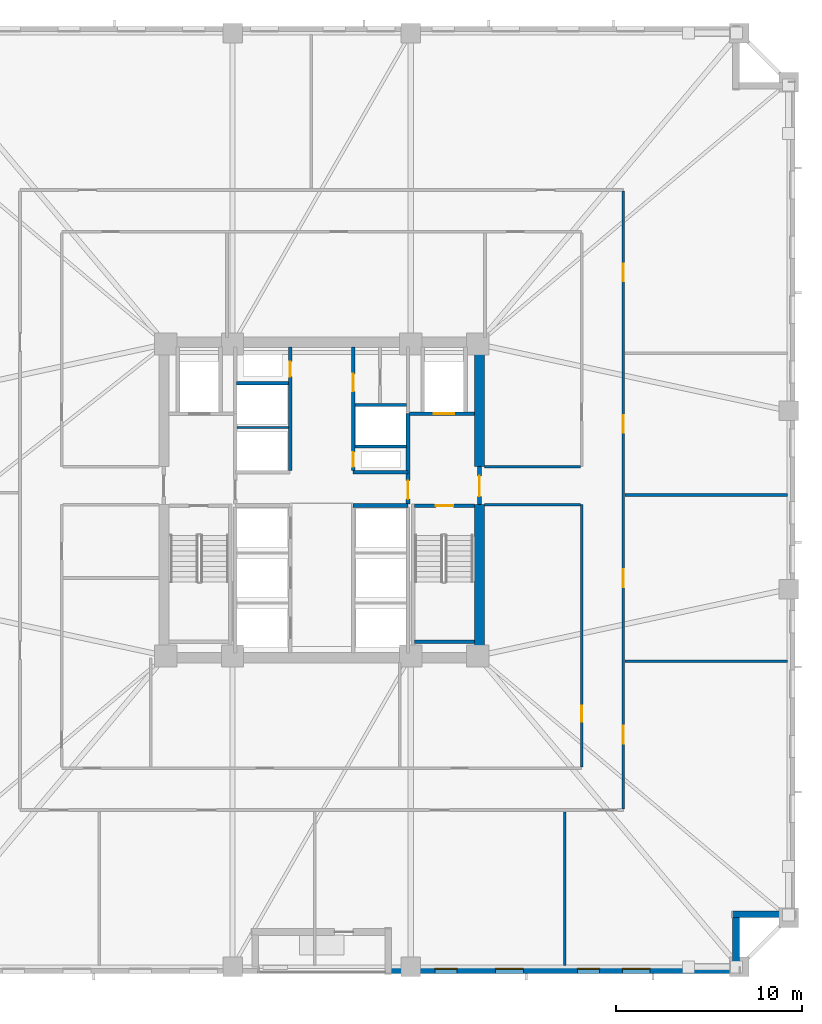
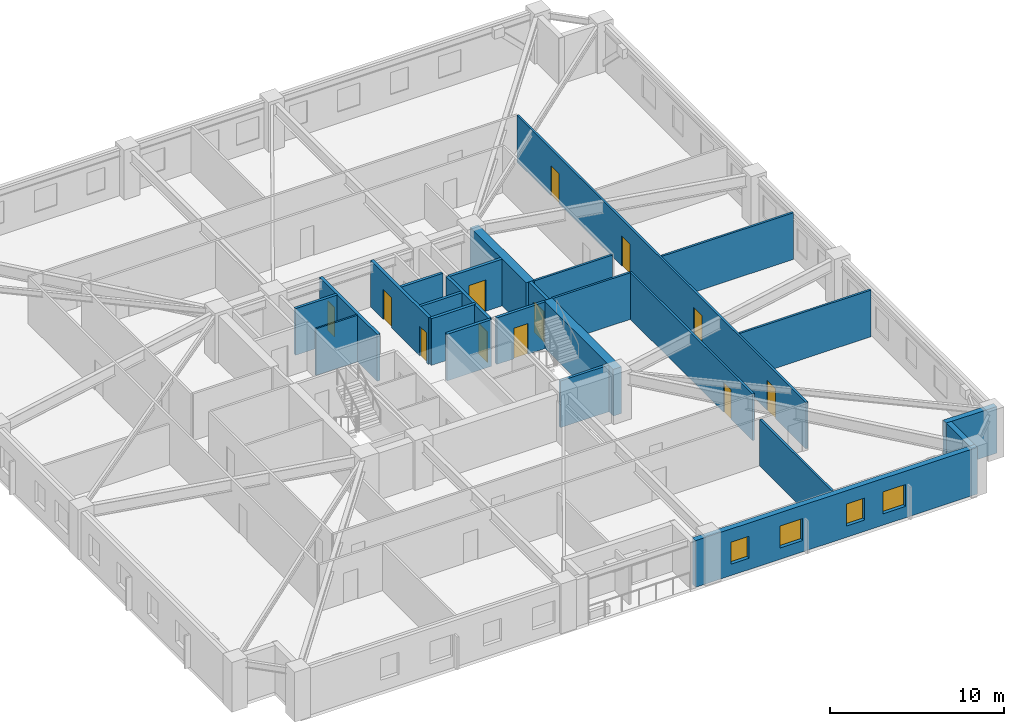
# One storey, part 4 of 11: 25 walls, 12 doors, 4 windows, 16 openings.
"""IFC4 building model written with IfcOpenShell, lengths in metres."""

import ifcopenshell
import ifcopenshell.guid

model = None  # the IFC model being written
_history = None  # IfcOwnerHistory: only IFC2X3 demands one
_inside = {}  # id of a spatial element -> (the spatial element, [elements in it])
_under = {}  # id of a project, library or spatial element -> (it, [spatial elements below it])
_declared = {}  # id of a project -> (the project, [libraries it declares])
_typed = {}  # id of a type object -> (the type object, [elements of that type])
_made_of = {}  # id of a material, layer set ... -> (it, [elements and type objects made of it])


def new_model(schema):
    """Start an empty IFC model of exactly this schema.

    Asked for "IFC4X3", IfcOpenShell would pick the latest addendum, in which some entities
    have other attributes; the version numbers below select the first issue.
    IFC2X3 requires an IfcOwnerHistory on every rooted entity: one is made here for all.
    """
    global model, _history
    if schema == "IFC4X3":
        model = ifcopenshell.file(schema_version=(4, 3, 0, 0))
    else:
        model = ifcopenshell.file(schema=schema)
    _inside.clear()
    _under.clear()
    _declared.clear()
    _typed.clear()
    _made_of.clear()
    _history = None
    if model.schema == "IFC2X3":
        org = make("IfcOrganization", Name="unknown")
        user = make(
            "IfcPersonAndOrganization",
            ThePerson=make("IfcPerson", FamilyName="unknown"),
            TheOrganization=org,
        )
        app = make(
            "IfcApplication",
            ApplicationDeveloper=org,
            Version="unknown",
            ApplicationFullName="unknown",
            ApplicationIdentifier="unknown",
        )
        _history = make(
            "IfcOwnerHistory",
            OwningUser=user,
            OwningApplication=app,
            ChangeAction="ADDED",
            CreationDate=0,
        )
    return model


def make(cls, **values):
    """One entity of the class cls with the attributes given. An attribute that is None is left unset."""
    return model.create_entity(
        cls, **{name: value for name, value in values.items() if value is not None}
    )


def rooted(cls, **values):
    """An entity with a GlobalId (a new one), such as an element, a storey or a relation."""
    return make(cls, GlobalId=ifcopenshell.guid.new(), OwnerHistory=_history, **values)


def si_unit(unit_type, name, prefix=None):
    """IfcSIUnit, for example si_unit("LENGTHUNIT", "METRE", prefix="MILLI")."""
    return make("IfcSIUnit", UnitType=unit_type, Prefix=prefix, Name=name)


def assignment(units):
    """IfcUnitAssignment: the units of a project."""
    return None if units is None else make("IfcUnitAssignment", Units=units)


def point(xyz):
    """IfcCartesianPoint."""
    return None if xyz is None else make("IfcCartesianPoint", Coordinates=xyz)


def direction(xyz):
    """IfcDirection."""
    return None if xyz is None else make("IfcDirection", DirectionRatios=xyz)


def frame(location, z_axis=None, x_axis=None):
    """IfcAxis2Placement3D, a coordinate frame: its origin and axes. An axis left out is left unset."""
    return make(
        "IfcAxis2Placement3D",
        Location=point(location),
        Axis=direction(z_axis),
        RefDirection=direction(x_axis),
    )


def frame_2d(location, x_axis=None):
    """IfcAxis2Placement2D, a coordinate frame in the plane: its origin and x axis."""
    return make(
        "IfcAxis2Placement2D", Location=point(location), RefDirection=direction(x_axis)
    )


def origin():
    """The frame at (0, 0, 0) with its axes left unset."""
    return frame((0.0, 0.0, 0.0))


def place(relative_to, where):
    """IfcLocalPlacement: puts the frame where relative to a parent placement (None: the world)."""
    return make(
        "IfcLocalPlacement", PlacementRelTo=relative_to, RelativePlacement=where
    )


def context(
    kind, dimensions, precision=None, world=None, true_north=None, identifier=None
):
    """IfcGeometricRepresentationContext, for example the 3D "Model" context."""
    return make(
        "IfcGeometricRepresentationContext",
        ContextIdentifier=identifier,
        ContextType=kind,
        CoordinateSpaceDimension=dimensions,
        Precision=precision,
        WorldCoordinateSystem=world,
        TrueNorth=true_north,
    )


def subcontext(parent, identifier, kind, view, scale=None):
    """IfcGeometricRepresentationSubContext, for example "Body" below "Model"."""
    return make(
        "IfcGeometricRepresentationSubContext",
        ContextIdentifier=identifier,
        ContextType=kind,
        ParentContext=parent,
        TargetScale=scale,
        TargetView=view,
    )


def project(units=None, contexts=None):
    """IfcProject with its units and contexts."""
    return rooted(
        "IfcProject",
        Name="project",
        RepresentationContexts=contexts,
        UnitsInContext=assignment(units),
    )


def spatial(cls, under=None, at=None, **own):
    """A site, building, storey or space (cls), placed at a placement, below another one or the project."""
    s = rooted(cls, ObjectPlacement=at, **own)
    if under is not None:
        _under.setdefault(under.id(), (under, []))[1].append(s)
    return s


def profile(cls, at=None, kind="AREA", **sizes):
    """A parametric profile (cls). Its sizes go by their IFC names, for example OverallWidth=200.0."""
    return make(cls, ProfileType=kind, Position=at, **sizes)


def rectangle(**sizes):
    """IfcRectangleProfileDef."""
    return profile("IfcRectangleProfileDef", **sizes)


def extrude(swept, where, along, depth):
    """IfcExtrudedAreaSolid: the profile swept, set in the frame where, extruded along a direction by depth."""
    return make(
        "IfcExtrudedAreaSolid",
        SweptArea=swept,
        Position=where,
        ExtrudedDirection=direction(along),
        Depth=depth,
    )


def shape(context_of_items, identifier, shape_type, items):
    """IfcShapeRepresentation: the items that make up one representation, for example the "Body"."""
    return make(
        "IfcShapeRepresentation",
        ContextOfItems=context_of_items,
        RepresentationIdentifier=identifier,
        RepresentationType=shape_type,
        Items=items,
    )


def material(Name=None, Category=None):
    """IfcMaterial."""
    return make("IfcMaterial", Name=Name, Category=Category)


def layer(
    of_material, thickness, ventilated=None, Name=None, Category=None, Priority=None
):
    """IfcMaterialLayer: one layer of a wall or slab, of a material (None: an air gap)."""
    return make(
        "IfcMaterialLayer",
        Material=of_material,
        LayerThickness=thickness,
        IsVentilated=ventilated,
        Name=Name,
        Category=Category,
        Priority=Priority,
    )


def layer_set(layers, Name=None):
    """IfcMaterialLayerSet."""
    return make("IfcMaterialLayerSet", MaterialLayers=layers, LayerSetName=Name)


def made_of(thing, what):
    """Note that an element or type object is made of a material, layer set ...; save() writes the relation."""
    if what is not None:
        _made_of.setdefault(what.id(), (what, []))[1].append(thing)
    return thing


def type_object(cls, material=None, **own):
    """A type object (cls), such as IfcWallType, which elements share."""
    return made_of(rooted(cls, **own), material)


def element(
    cls,
    number,
    at=None,
    inside=None,
    cuts=None,
    type_object=None,
    material=None,
    context=None,
    identifier="Body",
    shape_type=None,
    held_by="IfcProductDefinitionShape",
    body=None,
    shapes=None,
    **own,
):
    """One element of the class cls, such as IfcWall. Its Tag is "e" and its number.

    at: its placement. inside: the storey or other place that contains it. cuts: it is an
    opening in that element (IfcRelVoidsElement). A single representation is given by context,
    identifier, shape_type and body (its items); several are given by shapes. held_by: the class
    of the entity that holds the representations. save() writes the other relations.
    """
    e = rooted(cls, Tag="e%d" % number, ObjectPlacement=at, **own)
    if body is not None:
        shapes = [shape(context, identifier, shape_type, body)]
    if shapes is not None:
        e.Representation = make(held_by, Representations=shapes)
    if inside is not None:
        _inside.setdefault(inside.id(), (inside, []))[1].append(e)
    if cuts is not None:
        rooted(
            "IfcRelVoidsElement", RelatingBuildingElement=cuts, RelatedOpeningElement=e
        )
    if type_object is not None:
        _typed.setdefault(type_object.id(), (type_object, []))[1].append(e)
    return made_of(e, material)


def fill(opening, filler):
    """IfcRelFillsElement: the door or window that sits in an opening."""
    return rooted(
        "IfcRelFillsElement",
        RelatingOpeningElement=opening,
        RelatedBuildingElement=filler,
    )


def aggregate(whole, parts):
    """IfcRelAggregates: a whole, such as a stair, and the parts it consists of."""
    return rooted("IfcRelAggregates", RelatingObject=whole, RelatedObjects=parts)


def save(model, path):
    """Write the relations noted so far, then the file.

    IfcRelAggregates (storeys below a building ...), IfcRelContainedInSpatialStructure (elements
    in a storey), IfcRelDefinesByType, IfcRelAssociatesMaterial and IfcRelDeclares: one each for
    every whole, place, type object, material and project.
    """
    for whole, parts in _under.values():
        aggregate(whole, parts)
    for where, things in _inside.values():
        rooted(
            "IfcRelContainedInSpatialStructure",
            RelatedElements=things,
            RelatingStructure=where,
        )
    for kind, things in _typed.values():
        rooted("IfcRelDefinesByType", RelatedObjects=things, RelatingType=kind)
    for what, things in _made_of.values():
        rooted("IfcRelAssociatesMaterial", RelatedObjects=things, RelatingMaterial=what)
    for by, libraries in _declared.values():
        rooted("IfcRelDeclares", RelatingContext=by, RelatedDefinitions=libraries)
    model.write(path)


model = new_model("IFC4")

# Units and contexts
model_context = context("Model", 3, precision=1e-05, world=origin(), true_north=direction((0.0, 1.0)))
body_context = subcontext(model_context, "Body", "Model", "MODEL_VIEW")
ifc_project = project(units=[si_unit("LENGTHUNIT", "METRE"), si_unit("AREAUNIT", "SQUARE_METRE"), si_unit("VOLUMEUNIT", "CUBIC_METRE"), si_unit("PLANEANGLEUNIT", "RADIAN"), si_unit("MASSUNIT", "GRAM", prefix="KILO")], contexts=[model_context])

# Site, building, storey
site_placement = place(None, origin())
site = spatial("IfcSite", under=ifc_project, at=site_placement, CompositionType="ELEMENT")
building_placement = place(site_placement, origin())
building = spatial("IfcBuilding", under=site, at=building_placement, Name="Cairnveth Concourse Tower", CompositionType="ELEMENT")
storey_placement = place(building_placement, frame((0.0, 0.0, 37.5)))
storey = spatial("IfcBuildingStorey", under=building, at=storey_placement, Name="L09", CompositionType="ELEMENT", Elevation=37.5)

# Walls
ifc_material_1 = material(Name="Concrete N80 (80 MPa)", Category="concrete")
ifc_layer_1 = layer(ifc_material_1, 0.550048828125)
ifc_layer_set_1 = layer_set([ifc_layer_1], Name="Concrete N80 (80 MPa)")
wall_type_1 = type_object("IfcWallType", Name="CORE SHEAR WALL 550", PredefinedType="SHEAR", material=ifc_layer_set_1)
wall_1_placement = place(storey_placement, frame((60.5, 30.764892578125, 0.0), z_axis=(0.0, 0.0, 1.0), x_axis=(0.0, 1.0, 0.0)))
element("IfcWall", 1, at=wall_1_placement, inside=storey, type_object=wall_type_1, Name="Core East Shear Wall S L09", PredefinedType="SHEAR", context=body_context, shape_type="SweptSolid", body=[
    extrude(rectangle(XDim=7.985107421875, YDim=0.550048828125, at=frame_2d((3.99267578125, 0.0))), origin(), (0.0, 0.0, 1.0), 3.280029296875),
])
wall_2_placement = place(storey_placement, frame((60.5, 40.800048828125, 0.0), z_axis=(0.0, 0.0, 1.0), x_axis=(0.0, 1.0, 0.0)))
element("IfcWall", 2, at=wall_2_placement, inside=storey, type_object=wall_type_1, Name="Core East Shear Wall N L09", PredefinedType="SHEAR", context=body_context, shape_type="SweptSolid", body=[
    extrude(rectangle(XDim=6.43505859375, YDim=0.550048828125, at=frame_2d((3.217529296875, 0.0))), origin(), (0.0, 0.0, 1.0), 3.280029296875),
])
ifc_material_2 = material(Name="Concrete N50 (50 MPa)", Category="concrete")
ifc_layer_2 = layer(ifc_material_2, 0.179931640625)
ifc_layer_set_2 = layer_set([ifc_layer_2], Name="Concrete N50 (50 MPa)")
wall_type_2 = type_object("IfcWallType", Name="FIRE SHAFT WALL 180", PredefinedType="SOLIDWALL", material=ifc_layer_set_2)
wall_3_placement = place(storey_placement, frame((47.425048828125, 45.280029296875, 0.0), z_axis=(0.0, 0.0, 1.0), x_axis=(1.0, 0.0, 0.0)))
element("IfcWall", 3, at=wall_3_placement, inside=storey, type_object=wall_type_2, Name="Interior Wall IW-L09-033", PredefinedType="SOLIDWALL", context=body_context, shape_type="SweptSolid", body=[
    extrude(rectangle(XDim=2.7900390625, YDim=0.179931640625, at=frame_2d((1.39501953125, 0.0))), origin(), (0.0, 0.0, 1.0), 3.280029296875),
])
wall_4_placement = place(storey_placement, frame((53.784912109375, 41.8798828125, 0.0), z_axis=(0.0, 0.0, 1.0), x_axis=(1.0, 0.0, 0.0)))
element("IfcWall", 4, at=wall_4_placement, inside=storey, type_object=wall_type_2, Name="Interior Wall IW-L09-035", PredefinedType="SOLIDWALL", context=body_context, shape_type="SweptSolid", body=[
    extrude(rectangle(XDim=2.780029296875, YDim=0.179931640625, at=frame_2d((1.39013671875, 0.0))), origin(), (0.0, 0.0, 1.0), 3.280029296875),
])
wall_5_placement = place(storey_placement, frame((53.784912109375, 44.1201171875, 0.0), z_axis=(0.0, 0.0, 1.0), x_axis=(1.0, 0.0, 0.0)))
element("IfcWall", 5, at=wall_5_placement, inside=storey, type_object=wall_type_2, Name="Interior Wall IW-L09-036", PredefinedType="SOLIDWALL", context=body_context, shape_type="SweptSolid", body=[
    extrude(rectangle(XDim=2.7900390625, YDim=0.179931640625, at=frame_2d((1.39501953125, 0.0))), origin(), (0.0, 0.0, 1.0), 3.280029296875),
])

# Wall, opening, door
wall_6_placement = place(storey_placement, frame((57.0048828125, 38.68994140625, 0.0), z_axis=(0.0, 0.0, 1.0), x_axis=(1.0, 0.0, 0.0)))
wall_6 = element("IfcWall", 6, at=wall_6_placement, inside=storey, type_object=wall_type_2, Name="Stair ST-2 Shaft Wall NEAR L09", PredefinedType="SOLIDWALL", context=body_context, shape_type="SweptSolid", body=[
    extrude(rectangle(XDim=3.230224609375, YDim=0.179931640625, at=frame_2d((1.615234375, 0.0))), origin(), (0.0, 0.0, 1.0), 3.280029296875),
])
opening_1_placement = place(wall_6_placement, frame((1.139892578125, 0.0, 0.0)))
opening_1 = element("IfcOpeningElement", 7, at=opening_1_placement, cuts=wall_6, Name="Opening ID12", PredefinedType="OPENING", context=body_context, shape_type="SweptSolid", body=[
    extrude(rectangle(XDim=0.949951171875, YDim=2.14990234375, at=frame_2d((0.47509765625, 1.074951171875))), frame((0.0, 0.099853515625, 0.0), z_axis=(0.0, -1.0, 0.0), x_axis=(1.0, 0.0, 0.0)), (0.0, 0.0, 1.0), 0.199951171875),
])
ifc_material_3 = material(Name="Steel Grade 350", Category="steel")
door_type_1 = type_object("IfcDoorType", Name="FIRE STAIR DOOR 950X2150", OperationType="NOTDEFINED", PredefinedType="DOOR", material=ifc_material_3)
door_1_placement = place(opening_1_placement, origin())
door_1 = element("IfcDoor", 8, at=door_1_placement, inside=storey, type_object=door_type_1, Name="Stair ST-2 Fire Door L09", OperationType="SINGLE_SWING_RIGHT", OverallHeight=2.14990234375, OverallWidth=0.949951171875, PredefinedType="DOOR", context=body_context, shape_type="SweptSolid", body=[
    extrude(rectangle(XDim=0.949951171875, YDim=2.14990234375, at=frame_2d((0.47509765625, 1.074951171875))), frame((0.0, 0.02490234375, 0.0), z_axis=(0.0, -1.0, 0.0), x_axis=(1.0, 0.0, 0.0)), (0.0, 0.0, 1.0), 0.050048828125),
])
fill(opening_1, door_1)

# Walls
wall_7_placement = place(storey_placement, frame((57.0048828125, 31.360107421875, 0.0), z_axis=(0.0, 0.0, 1.0), x_axis=(1.0, 0.0, 0.0)))
element("IfcWall", 9, at=wall_7_placement, inside=storey, type_object=wall_type_2, Name="Stair ST-2 Shaft Wall FAR L09", PredefinedType="SOLIDWALL", context=body_context, shape_type="SweptSolid", body=[
    extrude(rectangle(XDim=3.230224609375, YDim=0.179931640625, at=frame_2d((1.615234375, 0.0))), origin(), (0.0, 0.0, 1.0), 3.280029296875),
])
ifc_layer_3 = layer(ifc_material_2, 0.199951171875)
ifc_layer_set_3 = layer_set([ifc_layer_3], Name="Concrete N50 (50 MPa)")
wall_type_3 = type_object("IfcWallType", Name="FIRE SHAFT WALL 200", PredefinedType="SOLIDWALL", material=ifc_layer_set_3)
for number, where, z_axis, x_axis, name in (
    (10, (53.699951171875, 38.699951171875, 0.0), (0.0, 0.0, 1.0), (1.0, 0.0, 0.0), "Interior Wall IW-L09-009"),
    (11, (53.699951171875, 40.5, 0.0), (0.0, 0.0, 1.0), (1.0, 0.0, 0.0), "Interior Wall IW-L09-010"),
):
    element("IfcWall", number, at=place(storey_placement, frame(where, z_axis=z_axis, x_axis=x_axis)), inside=storey, type_object=wall_type_3, Name=name, PredefinedType="SOLIDWALL", context=body_context, shape_type="SweptSolid", body=[
        extrude(rectangle(XDim=2.949951171875, YDim=0.199951171875, at=frame_2d((1.47509765625, 0.0))), origin(), (0.0, 0.0, 1.0), 3.280029296875),
    ])

# Wall, opening, door
wall_8_placement = place(storey_placement, frame((50.300048828125, 40.5849609375, 0.0), z_axis=(0.0, 0.0, 1.0), x_axis=(0.0, 1.0, 0.0)))
wall_8 = element("IfcWall", 12, at=wall_8_placement, inside=storey, type_object=wall_type_3, Name="Interior Wall IW-L09-013", PredefinedType="SOLIDWALL", context=body_context, shape_type="SweptSolid", body=[
    extrude(rectangle(XDim=6.655029296875, YDim=0.199951171875, at=frame_2d((3.32763671875, 0.0))), origin(), (0.0, 0.0, 1.0), 3.280029296875),
])
opening_2_placement = place(wall_8_placement, frame((5.06494140625, 0.0, 0.0)))
opening_2 = element("IfcOpeningElement", 13, at=opening_2_placement, cuts=wall_8, Name="Opening ID24", PredefinedType="OPENING", context=body_context, shape_type="SweptSolid", body=[
    extrude(rectangle(XDim=0.800048828125, YDim=2.080078125, at=frame_2d((0.39990234375, 1.0400390625))), frame((0.0, 0.10986328125, 0.0), z_axis=(0.0, -1.0, 0.0), x_axis=(1.0, 0.0, 0.0)), (0.0, 0.0, 1.0), 0.219970703125),
])
door_type_2 = type_object("IfcDoorType", Name="RISER ACCESS DOOR 800X2100", OperationType="NOTDEFINED", PredefinedType="DOOR", material=ifc_material_3)
door_2_placement = place(opening_2_placement, origin())
door_2 = element("IfcDoor", 14, at=door_2_placement, inside=storey, type_object=door_type_2, Name="NW Electrical Riser Access Door L09", OperationType="SINGLE_SWING_RIGHT", OverallHeight=2.080078125, OverallWidth=0.800048828125, PredefinedType="DOOR", context=body_context, shape_type="SweptSolid", body=[
    extrude(rectangle(XDim=0.800048828125, YDim=2.080078125, at=frame_2d((0.39990234375, 1.0400390625))), frame((0.0, 0.02490234375, 0.0), z_axis=(0.0, -1.0, 0.0), x_axis=(1.0, 0.0, 0.0)), (0.0, 0.0, 1.0), 0.050048828125),
])
fill(opening_2, door_2)

# Wall, openings, doors
wall_9_placement = place(storey_placement, frame((53.699951171875, 40.5849609375, 0.0), z_axis=(0.0, 0.0, 1.0), x_axis=(0.0, 1.0, 0.0)))
wall_9 = element("IfcWall", 15, at=wall_9_placement, inside=storey, type_object=wall_type_3, Name="Interior Wall IW-L09-014", PredefinedType="SOLIDWALL", context=body_context, shape_type="SweptSolid", body=[
    extrude(rectangle(XDim=6.655029296875, YDim=0.199951171875, at=frame_2d((3.32763671875, 0.0))), origin(), (0.0, 0.0, 1.0), 3.280029296875),
])
opening_3_placement = place(wall_9_placement, frame((0.195068359375, 0.0, 0.0)))
opening_3 = element("IfcOpeningElement", 16, at=opening_3_placement, cuts=wall_9, Name="Opening ID24", PredefinedType="OPENING", context=body_context, shape_type="SweptSolid", body=[
    extrude(rectangle(XDim=0.800048828125, YDim=2.080078125, at=frame_2d((0.39990234375, 1.0400390625))), frame((0.0, 0.10986328125, 0.0), z_axis=(0.0, -1.0, 0.0), x_axis=(1.0, 0.0, 0.0)), (0.0, 0.0, 1.0), 0.219970703125),
])
opening_4_placement = place(wall_9_placement, frame((4.264892578125, 0.0, 0.0)))
opening_4 = element("IfcOpeningElement", 17, at=opening_4_placement, cuts=wall_9, Name="Opening ID25", PredefinedType="OPENING", context=body_context, shape_type="SweptSolid", body=[
    extrude(rectangle(XDim=0.949951171875, YDim=2.1201171875, at=frame_2d((0.47509765625, 1.06005859375))), frame((0.0, 0.10986328125, 0.0), z_axis=(0.0, -1.0, 0.0), x_axis=(1.0, 0.0, 0.0)), (0.0, 0.0, 1.0), 0.219970703125),
])
door_type_3 = type_object("IfcDoorType", Name="CORE ACCESSIBLE FIRE DOOR 950X2120", OperationType="NOTDEFINED", PredefinedType="DOOR", material=ifc_material_3)
door_3_placement = place(opening_4_placement, origin())
door_3 = element("IfcDoor", 18, at=door_3_placement, inside=storey, type_object=door_type_3, Name="Core NE Restroom Door L09", OperationType="SINGLE_SWING_RIGHT", OverallHeight=2.1201171875, OverallWidth=0.949951171875, PredefinedType="DOOR", context=body_context, shape_type="SweptSolid", body=[
    extrude(rectangle(XDim=0.949951171875, YDim=2.1201171875, at=frame_2d((0.47509765625, 1.06005859375))), frame((0.0, 0.02490234375, 0.0), z_axis=(0.0, -1.0, 0.0), x_axis=(1.0, 0.0, 0.0)), (0.0, 0.0, 1.0), 0.050048828125),
])
fill(opening_4, door_3)
door_4_placement = place(opening_3_placement, origin())
door_4 = element("IfcDoor", 19, at=door_4_placement, inside=storey, type_object=door_type_2, Name="Hydraulic Riser Door L09", OperationType="SINGLE_SWING_LEFT", OverallHeight=2.080078125, OverallWidth=0.800048828125, PredefinedType="DOOR", context=body_context, shape_type="SweptSolid", body=[
    extrude(rectangle(XDim=0.800048828125, YDim=2.080078125, at=frame_2d((0.39990234375, 1.0400390625))), frame((0.0, 0.02490234375, 0.0), z_axis=(0.0, -1.0, 0.0), x_axis=(1.0, 0.0, 0.0)), (0.0, 0.0, 1.0), 0.050048828125),
])
fill(opening_3, door_4)

# Wall, opening, door
wall_10_placement = place(storey_placement, frame((60.5, 38.75, 0.0), z_axis=(0.0, 0.0, 1.0), x_axis=(0.0, 1.0, 0.0)))
wall_10 = element("IfcWall", 20, at=wall_10_placement, inside=storey, type_object=wall_type_3, Name="Interior Wall IW-L09-020", PredefinedType="SOLIDWALL", context=body_context, shape_type="SweptSolid", body=[
    extrude(rectangle(XDim=2.050048828125, YDim=0.199951171875, at=frame_2d((1.02490234375, 0.0))), origin(), (0.0, 0.0, 1.0), 3.280029296875),
])
opening_5_placement = place(wall_10_placement, frame((0.449951171875, 0.0, 0.0)))
opening_5 = element("IfcOpeningElement", 21, at=opening_5_placement, cuts=wall_10, Name="Opening ID06", PredefinedType="OPENING", context=body_context, shape_type="SweptSolid", body=[
    extrude(rectangle(XDim=1.10009765625, YDim=2.14990234375, at=frame_2d((0.550048828125, 1.074951171875))), frame((0.0, 0.10986328125, 0.0), z_axis=(0.0, -1.0, 0.0), x_axis=(1.0, 0.0, 0.0)), (0.0, 0.0, 1.0), 0.219970703125),
])
door_type_4 = type_object("IfcDoorType", Name="FIRE CORRIDOR DOOR 1100X2150", OperationType="NOTDEFINED", PredefinedType="DOOR", material=ifc_material_3)
door_5_placement = place(opening_5_placement, origin())
door_5 = element("IfcDoor", 22, at=door_5_placement, inside=storey, type_object=door_type_4, Name="East Wing to FF Lobby Door L09", OperationType="SINGLE_SWING_RIGHT", OverallHeight=2.14990234375, OverallWidth=1.10009765625, PredefinedType="DOOR", context=body_context, shape_type="SweptSolid", body=[
    extrude(rectangle(XDim=1.10009765625, YDim=2.14990234375, at=frame_2d((0.550048828125, 1.074951171875))), frame((0.0, 0.02490234375, 0.0), z_axis=(0.0, -1.0, 0.0), x_axis=(1.0, 0.0, 0.0)), (0.0, 0.0, 1.0), 0.050048828125),
])
fill(opening_5, door_5)

wall_11_placement = place(storey_placement, frame((56.64990234375, 38.784912109375, 0.0), z_axis=(0.0, 0.0, 1.0), x_axis=(0.0, 1.0, 0.0)))
wall_11 = element("IfcWall", 23, at=wall_11_placement, inside=storey, type_object=wall_type_3, Name="Interior Wall IW-L09-021", PredefinedType="SOLIDWALL", context=body_context, shape_type="SweptSolid", body=[
    extrude(rectangle(XDim=4.864990234375, YDim=0.199951171875, at=frame_2d((2.4326171875, 0.0))), origin(), (0.0, 0.0, 1.0), 3.280029296875),
])
opening_6_placement = place(wall_11_placement, frame((0.264892578125, 0.0, 0.0)))
opening_6 = element("IfcOpeningElement", 24, at=opening_6_placement, cuts=wall_11, Name="Opening ID07", PredefinedType="OPENING", context=body_context, shape_type="SweptSolid", body=[
    extrude(rectangle(XDim=1.0, YDim=2.14990234375, at=frame_2d((0.5, 1.074951171875))), frame((0.0, 0.10986328125, 0.0), z_axis=(0.0, -1.0, 0.0), x_axis=(1.0, 0.0, 0.0)), (0.0, 0.0, 1.0), 0.219970703125),
])
door_type_5 = type_object("IfcDoorType", Name="FIRE CORRIDOR DOOR 1000X2150", OperationType="NOTDEFINED", PredefinedType="DOOR", material=ifc_material_3)
door_6_placement = place(opening_6_placement, origin())
door_6 = element("IfcDoor", 25, at=door_6_placement, inside=storey, type_object=door_type_5, Name="FF Lobby East to Lift Lobby Door L09", OperationType="SINGLE_SWING_LEFT", OverallHeight=2.14990234375, OverallWidth=1.0, PredefinedType="DOOR", context=body_context, shape_type="SweptSolid", body=[
    extrude(rectangle(XDim=1.0, YDim=2.14990234375, at=frame_2d((0.5, 1.074951171875))), frame((0.0, 0.02490234375, 0.0), z_axis=(0.0, -1.0, 0.0), x_axis=(1.0, 0.0, 0.0)), (0.0, 0.0, 1.0), 0.050048828125),
])
fill(opening_6, door_6)

wall_12_placement = place(storey_placement, frame((56.735107421875, 43.64990234375, 0.0), z_axis=(0.0, 0.0, 1.0), x_axis=(1.0, 0.0, 0.0)))
wall_12 = element("IfcWall", 26, at=wall_12_placement, inside=storey, type_object=wall_type_3, Name="Interior Wall IW-L09-022", PredefinedType="SOLIDWALL", context=body_context, shape_type="SweptSolid", body=[
    extrude(rectangle(XDim=3.5048828125, YDim=0.199951171875, at=frame_2d((1.75244140625, 0.0))), origin(), (0.0, 0.0, 1.0), 3.280029296875),
])
opening_7_placement = place(wall_12_placement, frame((1.294921875, 0.0, 0.0)))
opening_7 = element("IfcOpeningElement", 27, at=opening_7_placement, cuts=wall_12, Name="Opening LD-1", PredefinedType="OPENING", context=body_context, shape_type="SweptSolid", body=[
    extrude(rectangle(XDim=1.10009765625, YDim=2.199951171875, at=frame_2d((0.550048828125, 1.10009765625))), frame((0.0, 0.10986328125, 0.0), z_axis=(0.0, -1.0, 0.0), x_axis=(1.0, 0.0, 0.0)), (0.0, 0.0, 1.0), 0.219970703125),
])
ifc_material_4 = material(Name="Architectural Bronze Anodised Aluminium 6063-T6", Category="aluminium")
door_type_6 = type_object("IfcDoorType", Name="LIFT LANDING DOOR 1100X2200", OperationType="SLIDING_TO_LEFT", PredefinedType="DOOR", material=ifc_material_4)
door_7_placement = place(opening_7_placement, origin())
door_7 = element("IfcDoor", 28, at=door_7_placement, inside=storey, type_object=door_type_6, Name="Lift FFL2 Landing Door L09", OperationType="SLIDING_TO_LEFT", OverallHeight=2.199951171875, OverallWidth=1.10009765625, PredefinedType="DOOR", context=body_context, shape_type="SweptSolid", body=[
    extrude(rectangle(XDim=1.10009765625, YDim=2.199951171875, at=frame_2d((0.550048828125, 1.10009765625))), frame((0.0, 0.02490234375, 0.0), z_axis=(0.0, -1.0, 0.0), x_axis=(1.0, 0.0, 0.0)), (0.0, 0.0, 1.0), 0.050048828125),
])
fill(opening_7, door_7)

# Wall, openings, doors
ifc_material_5 = material(Name="Gypsum Plasterboard Partition", Category="gypsum")
ifc_layer_4 = layer(ifc_material_5, 0.139892578125)
ifc_layer_set_4 = layer_set([ifc_layer_4], Name="Gypsum Plasterboard Partition")
wall_type_4 = type_object("IfcWallType", Name="GYPSUM STUD PARTITION 140", PredefinedType="PARTITIONING", material=ifc_layer_set_4)
wall_13_placement = place(storey_placement, frame((68.25, 22.35498046875, 0.0), z_axis=(0.0, 0.0, 1.0), x_axis=(0.0, 1.0, 0.0)))
wall_13 = element("IfcWall", 29, at=wall_13_placement, inside=storey, type_object=wall_type_4, Name="Interior Wall IW-L09-041", PredefinedType="PARTITIONING", context=body_context, shape_type="SweptSolid", body=[
    extrude(rectangle(XDim=33.2900390625, YDim=0.139892578125, at=frame_2d((16.64501953125, 0.0))), origin(), (0.0, 0.0, 1.0), 3.280029296875),
])
opening_8_placement = place(wall_13_placement, frame((3.521728515625, 0.0, 0.0)))
opening_8 = element("IfcOpeningElement", 30, at=opening_8_placement, cuts=wall_13, Name="Opening ID11", PredefinedType="OPENING", context=body_context, shape_type="SweptSolid", body=[
    extrude(rectangle(XDim=0.9599609375, YDim=2.1201171875, at=frame_2d((0.47998046875, 1.06005859375))), frame((0.0, 0.079833984375, 0.0), z_axis=(0.0, -1.0, 0.0), x_axis=(1.0, 0.0, 0.0)), (0.0, 0.0, 1.0), 0.159912109375),
])
opening_9_placement = place(wall_13_placement, frame((11.95556640625, 0.0, 0.0)))
opening_9 = element("IfcOpeningElement", 31, at=opening_9_placement, cuts=wall_13, Name="Opening ID11", PredefinedType="OPENING", context=body_context, shape_type="SweptSolid", body=[
    extrude(rectangle(XDim=0.9599609375, YDim=2.1201171875, at=frame_2d((0.47998046875, 1.06005859375))), frame((0.0, 0.079833984375, 0.0), z_axis=(0.0, -1.0, 0.0), x_axis=(1.0, 0.0, 0.0)), (0.0, 0.0, 1.0), 0.159912109375),
])
opening_10_placement = place(wall_13_placement, frame((20.255615234375, 0.0, 0.0)))
opening_10 = element("IfcOpeningElement", 32, at=opening_10_placement, cuts=wall_13, Name="Opening ID11", PredefinedType="OPENING", context=body_context, shape_type="SweptSolid", body=[
    extrude(rectangle(XDim=0.9599609375, YDim=2.1201171875, at=frame_2d((0.47998046875, 1.06005859375))), frame((0.0, 0.079833984375, 0.0), z_axis=(0.0, -1.0, 0.0), x_axis=(1.0, 0.0, 0.0)), (0.0, 0.0, 1.0), 0.159912109375),
])
opening_11_placement = place(wall_13_placement, frame((28.421630859375, 0.0, 0.0)))
opening_11 = element("IfcOpeningElement", 33, at=opening_11_placement, cuts=wall_13, Name="Opening ID11", PredefinedType="OPENING", context=body_context, shape_type="SweptSolid", body=[
    extrude(rectangle(XDim=0.9599609375, YDim=2.1201171875, at=frame_2d((0.47998046875, 1.06005859375))), frame((0.0, 0.079833984375, 0.0), z_axis=(0.0, -1.0, 0.0), x_axis=(1.0, 0.0, 0.0)), (0.0, 0.0, 1.0), 0.159912109375),
])
ifc_material_6 = material(Name="Solid Core Hardwood Timber Leaf", Category="wood")
door_type_7 = type_object("IfcDoorType", Name="INTERIOR SINGLE DOOR 960X2150", OperationType="NOTDEFINED", PredefinedType="DOOR", material=ifc_material_6)
door_8_placement = place(opening_8_placement, origin())
door_8 = element("IfcDoor", 34, at=door_8_placement, inside=storey, type_object=door_type_7, Name="Office Door L09-E1", OperationType="SINGLE_SWING_LEFT", OverallHeight=2.1201171875, OverallWidth=0.9599609375, PredefinedType="DOOR", context=body_context, shape_type="SweptSolid", body=[
    extrude(rectangle(XDim=0.9599609375, YDim=2.1201171875, at=frame_2d((0.47998046875, 1.06005859375))), frame((0.0, 0.02490234375, 0.0), z_axis=(0.0, -1.0, 0.0), x_axis=(1.0, 0.0, 0.0)), (0.0, 0.0, 1.0), 0.050048828125),
])
fill(opening_8, door_8)
door_9_placement = place(opening_9_placement, origin())
door_9 = element("IfcDoor", 35, at=door_9_placement, inside=storey, type_object=door_type_7, Name="Office Door L09-E2", OperationType="SINGLE_SWING_RIGHT", OverallHeight=2.1201171875, OverallWidth=0.9599609375, PredefinedType="DOOR", context=body_context, shape_type="SweptSolid", body=[
    extrude(rectangle(XDim=0.9599609375, YDim=2.1201171875, at=frame_2d((0.47998046875, 1.06005859375))), frame((0.0, 0.02490234375, 0.0), z_axis=(0.0, -1.0, 0.0), x_axis=(1.0, 0.0, 0.0)), (0.0, 0.0, 1.0), 0.050048828125),
])
fill(opening_9, door_9)
door_10_placement = place(opening_10_placement, origin())
door_10 = element("IfcDoor", 36, at=door_10_placement, inside=storey, type_object=door_type_7, Name="Office Door L09-E3", OperationType="SINGLE_SWING_LEFT", OverallHeight=2.1201171875, OverallWidth=0.9599609375, PredefinedType="DOOR", context=body_context, shape_type="SweptSolid", body=[
    extrude(rectangle(XDim=0.9599609375, YDim=2.1201171875, at=frame_2d((0.47998046875, 1.06005859375))), frame((0.0, 0.02490234375, 0.0), z_axis=(0.0, -1.0, 0.0), x_axis=(1.0, 0.0, 0.0)), (0.0, 0.0, 1.0), 0.050048828125),
])
fill(opening_10, door_10)
door_11_placement = place(opening_11_placement, origin())
door_11 = element("IfcDoor", 37, at=door_11_placement, inside=storey, type_object=door_type_7, Name="Office Door L09-E4", OperationType="SINGLE_SWING_RIGHT", OverallHeight=2.1201171875, OverallWidth=0.9599609375, PredefinedType="DOOR", context=body_context, shape_type="SweptSolid", body=[
    extrude(rectangle(XDim=0.9599609375, YDim=2.1201171875, at=frame_2d((0.47998046875, 1.06005859375))), frame((0.0, 0.02490234375, 0.0), z_axis=(0.0, -1.0, 0.0), x_axis=(1.0, 0.0, 0.0)), (0.0, 0.0, 1.0), 0.050048828125),
])
fill(opening_11, door_11)

# Wall, opening, door
wall_14_placement = place(storey_placement, frame((66.0, 24.60498046875, 0.0), z_axis=(0.0, 0.0, 1.0), x_axis=(0.0, 1.0, 0.0)))
wall_14 = element("IfcWall", 38, at=wall_14_placement, inside=storey, type_object=wall_type_4, Name="Interior Wall IW-L09-048", PredefinedType="PARTITIONING", context=body_context, shape_type="SweptSolid", body=[
    extrude(rectangle(XDim=14.14501953125, YDim=0.139892578125, at=frame_2d((7.072509765625, 0.0))), origin(), (0.0, 0.0, 1.0), 3.280029296875),
])
opening_12_placement = place(wall_14_placement, frame((2.445068359375, 0.0, 0.0)))
opening_12 = element("IfcOpeningElement", 39, at=opening_12_placement, cuts=wall_14, Name="Opening ID18", PredefinedType="OPENING", context=body_context, shape_type="SweptSolid", body=[
    extrude(rectangle(XDim=0.8798828125, YDim=2.10009765625, at=frame_2d((0.43994140625, 1.050048828125))), frame((0.0, 0.079833984375, 0.0), z_axis=(0.0, -1.0, 0.0), x_axis=(1.0, 0.0, 0.0)), (0.0, 0.0, 1.0), 0.159912109375),
])
door_type_8 = type_object("IfcDoorType", Name="INTERIOR SINGLE DOOR 880X2100", OperationType="NOTDEFINED", PredefinedType="DOOR", material=ifc_material_6)
door_12_placement = place(opening_12_placement, origin())
door_12 = element("IfcDoor", 40, at=door_12_placement, inside=storey, type_object=door_type_8, Name="Interior Door DR-L09-023", OperationType="SINGLE_SWING_LEFT", OverallHeight=2.10009765625, OverallWidth=0.8798828125, PredefinedType="DOOR", context=body_context, shape_type="SweptSolid", body=[
    extrude(rectangle(XDim=0.8798828125, YDim=2.10009765625, at=frame_2d((0.43994140625, 1.050048828125))), frame((0.0, 0.02490234375, 0.0), z_axis=(0.0, -1.0, 0.0), x_axis=(1.0, 0.0, 0.0)), (0.0, 0.0, 1.0), 0.050048828125),
])
fill(opening_12, door_12)

# Walls
for number, where, z_axis, x_axis, name in (
    (41, (60.760009765625, 38.75, 0.0), (0.0, 0.0, 1.0), (1.0, 0.0, 0.0), "Interior Wall IW-L09-050"),
    (42, (60.760009765625, 40.800048828125, 0.0), (0.0, 0.0, 1.0), (1.0, 0.0, 0.0), "Interior Wall IW-L09-051"),
):
    element("IfcWall", number, at=place(storey_placement, frame(where, z_axis=z_axis, x_axis=x_axis)), inside=storey, type_object=wall_type_4, Name=name, PredefinedType="PARTITIONING", context=body_context, shape_type="SweptSolid", body=[
        extrude(rectangle(XDim=5.18505859375, YDim=0.139892578125, at=frame_2d((2.592529296875, 0.0))), origin(), (0.0, 0.0, 1.0), 3.280029296875),
    ])
wall_15_placement = place(storey_placement, frame((65.092529296875, 13.919921875, 0.0), z_axis=(0.0, 0.0, 1.0), x_axis=(0.0, 1.0, 0.0)))
element("IfcWall", 43, at=wall_15_placement, inside=storey, type_object=wall_type_4, Name="Interior Wall IW-L09-059", PredefinedType="PARTITIONING", context=body_context, shape_type="SweptSolid", body=[
    extrude(rectangle(XDim=8.280029296875, YDim=0.139892578125, at=frame_2d((4.14013671875, 0.0))), origin(), (0.0, 0.0, 1.0), 3.280029296875),
])
for number, where, z_axis, x_axis, name in (
    (44, (68.35009765625, 30.313232421875, 0.0), (0.0, 0.0, 1.0), (1.0, 0.0, 0.0), "Interior Wall IW-L09-062"),
    (45, (68.35009765625, 39.267578125, 0.0), (0.0, 0.0, 1.0), (1.0, 0.0, 0.0), "Interior Wall IW-L09-063"),
):
    element("IfcWall", number, at=place(storey_placement, frame(where, z_axis=z_axis, x_axis=x_axis)), inside=storey, type_object=wall_type_4, Name=name, PredefinedType="PARTITIONING", context=body_context, shape_type="SweptSolid", body=[
        extrude(rectangle(XDim=8.72998046875, YDim=0.139892578125, at=frame_2d((4.364990234375, 0.0))), origin(), (0.0, 0.0, 1.0), 3.280029296875),
    ])
ifc_layer_5 = layer(ifc_material_5, 0.110107421875)
ifc_layer_set_5 = layer_set([ifc_layer_5], Name="Gypsum Plasterboard Partition")
wall_type_5 = type_object("IfcWallType", Name="SHAFT DIVIDER WALL 140", PredefinedType="PARTITIONING", material=ifc_layer_set_5)
wall_16_placement = place(storey_placement, frame((47.43505859375, 42.89990234375, 0.0), z_axis=(0.0, 0.0, 1.0), x_axis=(1.0, 0.0, 0.0)))
element("IfcWall", 46, at=wall_16_placement, inside=storey, type_object=wall_type_5, Name="Interior Wall IW-L09-032", PredefinedType="PARTITIONING", context=body_context, shape_type="SweptSolid", body=[
    extrude(rectangle(XDim=2.780029296875, YDim=0.110107421875, at=frame_2d((1.39013671875, 0.0))), origin(), (0.0, 0.0, 1.0), 3.280029296875),
])
ifc_material_7 = material(Name="Hawthorn Red-Ochre Fired Clay Brick Masonry", Category="masonry")
ifc_layer_6 = layer(ifc_material_7, 0.360107421875)
ifc_layer_set_6 = layer_set([ifc_layer_6], Name="Hawthorn Red-Ochre Fired Clay Brick Masonry")
wall_type_6 = type_object("IfcWallType", Name="ZONE 1 BRICK PIER SPANDREL WALL 360", PredefinedType="SOLIDWALL", material=ifc_layer_set_6)
wall_17_placement = place(storey_placement, frame((77.5, 16.679931640625, 0.0), z_axis=(0.0, 0.0, 1.0), x_axis=(-1.0, 0.0, 0.0)))
element("IfcWall", 47, at=wall_17_placement, inside=storey, type_object=wall_type_6, Name="Exterior Wall EW-L09-S10", PredefinedType="SOLIDWALL", context=body_context, shape_type="SweptSolid", body=[
    extrude(rectangle(XDim=3.360107421875, YDim=0.360107421875, at=frame_2d((1.68017578125, 0.0))), origin(), (0.0, 0.0, 1.0), 3.280029296875),
])
wall_18_placement = place(storey_placement, frame((74.320068359375, 16.52197265625, 0.0), z_axis=(0.0, 0.0, 1.0), x_axis=(0.0, -1.0, 0.0)))
element("IfcWall", 48, at=wall_18_placement, inside=storey, type_object=wall_type_6, Name="Exterior Wall EW-L09-S11", PredefinedType="SOLIDWALL", context=body_context, shape_type="SweptSolid", body=[
    extrude(rectangle(XDim=2.68408203125, YDim=0.360107421875, at=frame_2d((1.342041015625, 0.0))), origin(), (0.0, 0.0, 1.0), 3.280029296875),
])

# Wall, openings, windows
wall_19_placement = place(storey_placement, frame((74.5, 13.679931640625, 0.0), z_axis=(0.0, 0.0, 1.0), x_axis=(-1.0, 0.0, 0.0)))
wall_19 = element("IfcWall", 49, at=wall_19_placement, inside=storey, type_object=wall_type_6, Name="Exterior Wall EW-L09-S12", PredefinedType="SOLIDWALL", context=body_context, shape_type="SweptSolid", body=[
    extrude(rectangle(XDim=18.761962890625, YDim=0.360107421875, at=frame_2d((9.380859375, 0.0))), origin(), (0.0, 0.0, 1.0), 3.280029296875),
])
opening_13_placement = place(wall_19_placement, frame((4.807861328125, 0.0, 0.800048828125)))
opening_13 = element("IfcOpeningElement", 50, at=opening_13_placement, cuts=wall_19, Name="Opening W03", PredefinedType="OPENING", context=body_context, shape_type="SweptSolid", body=[
    extrude(rectangle(XDim=1.5, YDim=1.5439453125, at=frame_2d((0.75, 0.77197265625))), frame((0.0, 0.18994140625, 0.0), z_axis=(0.0, -1.0, 0.0), x_axis=(1.0, 0.0, 0.0)), (0.0, 0.0, 1.0), 0.380126953125),
])
opening_14_placement = place(wall_19_placement, frame((7.523193359375, 0.0, 0.800048828125)))
opening_14 = element("IfcOpeningElement", 51, at=opening_14_placement, cuts=wall_19, Name="Opening W01", PredefinedType="OPENING", context=body_context, shape_type="SweptSolid", body=[
    extrude(rectangle(XDim=1.199951171875, YDim=1.5439453125, at=frame_2d((0.60009765625, 0.77197265625))), frame((0.0, 0.18994140625, 0.0), z_axis=(0.0, -1.0, 0.0), x_axis=(1.0, 0.0, 0.0)), (0.0, 0.0, 1.0), 0.380126953125),
])
opening_15_placement = place(wall_19_placement, frame((11.638671875, 0.0, 0.800048828125)))
opening_15 = element("IfcOpeningElement", 52, at=opening_15_placement, cuts=wall_19, Name="Opening W03", PredefinedType="OPENING", context=body_context, shape_type="SweptSolid", body=[
    extrude(rectangle(XDim=1.5, YDim=1.5439453125, at=frame_2d((0.75, 0.77197265625))), frame((0.0, 0.18994140625, 0.0), z_axis=(0.0, -1.0, 0.0), x_axis=(1.0, 0.0, 0.0)), (0.0, 0.0, 1.0), 0.380126953125),
])
opening_16_placement = place(wall_19_placement, frame((15.204345703125, 0.0, 0.800048828125)))
opening_16 = element("IfcOpeningElement", 53, at=opening_16_placement, cuts=wall_19, Name="Opening W01", PredefinedType="OPENING", context=body_context, shape_type="SweptSolid", body=[
    extrude(rectangle(XDim=1.199951171875, YDim=1.5439453125, at=frame_2d((0.60009765625, 0.77197265625))), frame((0.0, 0.18994140625, 0.0), z_axis=(0.0, -1.0, 0.0), x_axis=(1.0, 0.0, 0.0)), (0.0, 0.0, 1.0), 0.380126953125),
])
ifc_material_8 = material(Name="Double Glazed Low-E Clear Glass", Category="glass")
window_type_1 = type_object("IfcWindowType", Name="DEEP-SET GOTHIC LANCET WINDOW 1200X1800", PartitioningType="DOUBLE_PANEL_VERTICAL", PredefinedType="WINDOW", material=ifc_material_8)
window_1_placement = place(opening_14_placement, origin())
window_1 = element("IfcWindow", 54, at=window_1_placement, inside=storey, type_object=window_type_1, Name="Gothic Lancet Window L09-12-2", OverallHeight=1.5439453125, OverallWidth=1.199951171875, PartitioningType="SINGLE_PANEL", PredefinedType="WINDOW", context=body_context, shape_type="SweptSolid", body=[
    extrude(rectangle(XDim=1.199951171875, YDim=1.5439453125, at=frame_2d((0.60009765625, 0.77197265625))), frame((0.0, -0.050048828125, 0.0), z_axis=(0.0, -1.0, 0.0), x_axis=(1.0, 0.0, 0.0)), (0.0, 0.0, 1.0), 0.06005859375),
])
fill(opening_14, window_1)
window_2_placement = place(opening_16_placement, origin())
window_2 = element("IfcWindow", 55, at=window_2_placement, inside=storey, type_object=window_type_1, Name="Gothic Lancet Window L09-12-4", OverallHeight=1.5439453125, OverallWidth=1.199951171875, PartitioningType="SINGLE_PANEL", PredefinedType="WINDOW", context=body_context, shape_type="SweptSolid", body=[
    extrude(rectangle(XDim=1.199951171875, YDim=1.5439453125, at=frame_2d((0.60009765625, 0.77197265625))), frame((0.0, -0.050048828125, 0.0), z_axis=(0.0, -1.0, 0.0), x_axis=(1.0, 0.0, 0.0)), (0.0, 0.0, 1.0), 0.06005859375),
])
fill(opening_16, window_2)
window_type_2 = type_object("IfcWindowType", Name="DEEP-SET GOTHIC LANCET WINDOW 1500X1800", PartitioningType="DOUBLE_PANEL_VERTICAL", PredefinedType="WINDOW", material=ifc_material_8)
window_3_placement = place(opening_13_placement, origin())
window_3 = element("IfcWindow", 56, at=window_3_placement, inside=storey, type_object=window_type_2, Name="Gothic Lancet Window L09-12-1", OverallHeight=1.5439453125, OverallWidth=1.5, PartitioningType="SINGLE_PANEL", PredefinedType="WINDOW", context=body_context, shape_type="SweptSolid", body=[
    extrude(rectangle(XDim=1.5, YDim=1.5439453125, at=frame_2d((0.75, 0.77197265625))), frame((0.0, -0.050048828125, 0.0), z_axis=(0.0, -1.0, 0.0), x_axis=(1.0, 0.0, 0.0)), (0.0, 0.0, 1.0), 0.06005859375),
])
fill(opening_13, window_3)
window_4_placement = place(opening_15_placement, origin())
window_4 = element("IfcWindow", 57, at=window_4_placement, inside=storey, type_object=window_type_2, Name="Gothic Lancet Window L09-12-3", OverallHeight=1.5439453125, OverallWidth=1.5, PartitioningType="SINGLE_PANEL", PredefinedType="WINDOW", context=body_context, shape_type="SweptSolid", body=[
    extrude(rectangle(XDim=1.5, YDim=1.5439453125, at=frame_2d((0.75, 0.77197265625))), frame((0.0, -0.050048828125, 0.0), z_axis=(0.0, -1.0, 0.0), x_axis=(1.0, 0.0, 0.0)), (0.0, 0.0, 1.0), 0.06005859375),
])
fill(opening_15, window_4)

save(model, "model.ifc")
